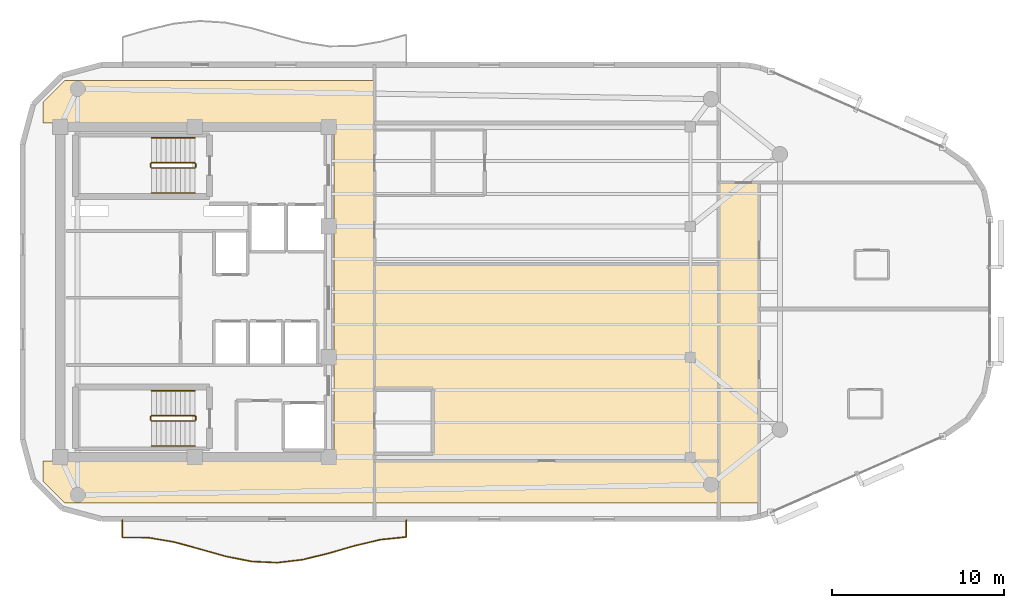
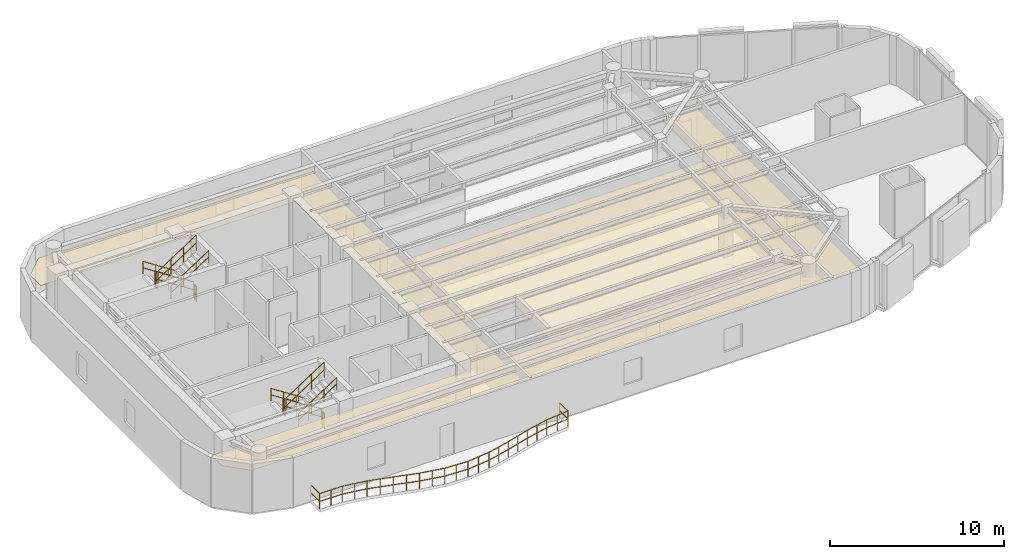
# One storey, part 11 of 12: 13 railings, 2 coverings.
"""IFC4 building model written with IfcOpenShell, lengths in metres."""

from ifc_helpers import new_model, si_unit, direction, frame, origin, origin_2d, place, context, subcontext, project, spatial, polyline, circle, outline, extrude, material, layer, layer_set, type_object, element, save


model = new_model("IFC4")

# Units and contexts
model_context = context("Model", 3, precision=1e-05, world=origin(), true_north=direction((0.0, 1.0)))
body_context = subcontext(model_context, "Body", "Model", "MODEL_VIEW")
ifc_project = project(units=[si_unit("LENGTHUNIT", "METRE"), si_unit("AREAUNIT", "SQUARE_METRE"), si_unit("VOLUMEUNIT", "CUBIC_METRE"), si_unit("PLANEANGLEUNIT", "RADIAN"), si_unit("MASSUNIT", "GRAM", prefix="KILO")], contexts=[model_context])

# Site, building, storey
site_placement = place(None, origin())
site = spatial("IfcSite", under=ifc_project, at=site_placement, CompositionType="ELEMENT")
building_placement = place(site_placement, origin())
building = spatial("IfcBuilding", under=site, at=building_placement, Name="An Khanh Terracotta Commons", CompositionType="ELEMENT")
storey_placement = place(building_placement, frame((0.0, 0.0, 258.800048828125)))
storey = spatial("IfcBuildingStorey", under=building, at=storey_placement, Name="L67", CompositionType="ELEMENT", Elevation=258.800048828125)

# Coverings
ifc_material_1 = material(Name="Perforated Mineral-Fibre Acoustic Tile")
ifc_layer = layer(ifc_material_1, 0.02001953125, Name="Perforated Mineral-Fibre Acoustic Tile")
ifc_layer_set = layer_set([ifc_layer], Name="Perforated Mineral-Fibre Acoustic Tile")
covering_type = type_object("IfcCoveringType", Name="CEIL-ACOUSTIC-18", PredefinedType="CEILING", material=ifc_layer_set)
covering_1_placement = place(storey_placement, frame((0.0, 0.0, 2.64990234375)))
element("IfcCovering", 1, at=covering_1_placement, inside=storey, type_object=covering_type, Name="L67 Corridor Ceiling", PredefinedType="CEILING", context=body_context, shape_type="SweptSolid", body=[
    extrude(outline(polyline([(59.85009765625, 30.35009765625), (62.199951171875, 30.35009765625), (62.199951171875, 14.179931640625), (62.199951171875, 11.719970703125), (59.85009765625, 11.719970703125), (39.85009765625, 11.719970703125), (37.5, 11.719970703125), (21.84912109375, 11.719970703125), (20.60009765625, 12.968994140625), (20.60009765625, 14.179931640625), (37.5, 14.179931640625), (37.5, 33.820068359375), (20.60009765625, 33.820068359375), (20.60009765625, 35.031005859375), (21.84912109375, 36.280029296875), (37.5, 36.280029296875), (39.85009765625, 36.280029296875), (39.85009765625, 33.820068359375), (39.85009765625, 14.179931640625), (59.85009765625, 14.179931640625), (59.85009765625, 30.35009765625)])), origin(), (0.0, 0.0, 1.0), 0.02001953125),
])
covering_2_placement = place(storey_placement, frame((0.0, 0.0, 2.64990234375)))
element("IfcCovering", 2, at=covering_2_placement, inside=storey, type_object=covering_type, Name="L67 Riverfront Reading Hall Ceiling", PredefinedType="CEILING", context=body_context, shape_type="SweptSolid", body=[
    extrude(outline(polyline([(59.85009765625, 14.179931640625), (39.85009765625, 14.179931640625), (39.85009765625, 14.60009765625), (43.25, 14.60009765625), (43.25, 18.39990234375), (39.85009765625, 18.39990234375), (39.85009765625, 25.60009765625), (59.85009765625, 25.60009765625), (59.85009765625, 14.179931640625)])), origin(), (0.0, 0.0, 1.0), 0.02001953125),
])

# Railings
ifc_material_2 = material(Name="Brushed Stainless Steel 316", Category="steel")
railing_type_1 = type_object("IfcRailingType", Name="RAIL-BALUSTRADE-1100", PredefinedType="BALUSTRADE", material=ifc_material_2)
railing_1_placement = place(storey_placement, frame((25.199951171875, 10.739990234375, 0.0)))
element("IfcRailing", 3, at=railing_1_placement, inside=storey, type_object=railing_type_1, Name="L67 S Wave Balcony Guard Balustrade", PredefinedType="BALUSTRADE", context=body_context, shape_type="SweptSolid", body=[
    extrude(circle(Radius=0.02392578125, at=origin_2d()), frame((0.0, 0.0, 1.076171875), z_axis=(0.0, -1.0, 0.0), x_axis=(1.0, 0.0, 0.0)), (0.0, 0.0, 1.0), 1.006103515625),
    extrude(circle(Radius=0.02392578125, at=origin_2d()), frame((0.0, 0.0, 0.52587890625), z_axis=(0.0, -1.0, 0.0), x_axis=(1.0, 0.0, 0.0)), (0.0, 0.0, 1.0), 1.006103515625),
    extrude(circle(Radius=0.02392578125, at=origin_2d()), frame((0.0, -1.006103515625, 1.076171875), z_axis=(0.999956968224, -0.009276944529, 0.0), x_axis=(0.009276944529, 0.999956968224, 0.0)), (0.0, 0.0, 1.0), 1.5),
    extrude(circle(Radius=0.02392578125, at=origin_2d()), frame((0.0, -1.006103515625, 0.52587890625), z_axis=(0.999956968224, -0.009276944529, 0.0), x_axis=(0.009276944529, 0.999956968224, 0.0)), (0.0, 0.0, 1.0), 1.5),
    extrude(circle(Radius=0.02392578125, at=origin_2d()), frame((1.5, -1.02001953125, 1.076171875), z_axis=(0.986079829755, -0.16627257546, 0.0), x_axis=(0.16627257546, 0.986079829755, 0.0)), (0.0, 0.0, 1.0), 1.521240234375),
    extrude(circle(Radius=0.02392578125, at=origin_2d()), frame((1.5, -1.02001953125, 0.52587890625), z_axis=(0.986079829755, -0.16627257546, 0.0), x_axis=(0.16627257546, 0.986079829755, 0.0)), (0.0, 0.0, 1.0), 1.521240234375),
    extrude(circle(Radius=0.02392578125, at=origin_2d()), frame((3.0, -1.27294921875, 1.076171875), z_axis=(0.964948425307, -0.262439586375, 0.0), x_axis=(0.262439586375, 0.964948425307, 0.0)), (0.0, 0.0, 1.0), 1.554443359375),
    extrude(circle(Radius=0.02392578125, at=origin_2d()), frame((3.0, -1.27294921875, 0.52587890625), z_axis=(0.964948425307, -0.262439586375, 0.0), x_axis=(0.262439586375, 0.964948425307, 0.0)), (0.0, 0.0, 1.0), 1.554443359375),
    extrude(circle(Radius=0.02392578125, at=origin_2d()), frame((4.5, -1.680908203125, 1.076171875), z_axis=(0.962282666556, -0.272051593719, 0.0), x_axis=(0.272051593719, 0.962282666556, 0.0)), (0.0, 0.0, 1.0), 1.558837890625),
    extrude(circle(Radius=0.02392578125, at=origin_2d()), frame((4.5, -1.680908203125, 0.52587890625), z_axis=(0.962282666556, -0.272051593719, 0.0), x_axis=(0.272051593719, 0.962282666556, 0.0)), (0.0, 0.0, 1.0), 1.558837890625),
    extrude(circle(Radius=0.02392578125, at=origin_2d()), frame((6.0, -2.10498046875, 1.076171875), z_axis=(0.980819402607, -0.194918699639, 0.0), x_axis=(0.194918699639, 0.980819402607, 0.0)), (0.0, 0.0, 1.0), 1.529296875),
    extrude(circle(Radius=0.02392578125, at=origin_2d()), frame((6.0, -2.10498046875, 0.52587890625), z_axis=(0.980819402607, -0.194918699639, 0.0), x_axis=(0.194918699639, 0.980819402607, 0.0)), (0.0, 0.0, 1.0), 1.529296875),
    extrude(circle(Radius=0.02392578125, at=origin_2d()), frame((7.5, -2.403076171875, 1.076171875), z_axis=(0.998887913276, -0.047148029761, 0.0), x_axis=(0.047148029761, 0.998887913276, 0.0)), (0.0, 0.0, 1.0), 1.501708984375),
    extrude(circle(Radius=0.02392578125, at=origin_2d()), frame((7.5, -2.403076171875, 0.52587890625), z_axis=(0.998887913276, -0.047148029761, 0.0), x_axis=(0.047148029761, 0.998887913276, 0.0)), (0.0, 0.0, 1.0), 1.501708984375),
    extrude(circle(Radius=0.02392578125, at=origin_2d()), frame((9.0, -2.473876953125, 1.076171875), z_axis=(0.99288219023, 0.11910061429, 0.0), x_axis=(-0.11910061429, 0.99288219023, 0.0)), (0.0, 0.0, 1.0), 1.5107421875),
    extrude(circle(Radius=0.02392578125, at=origin_2d()), frame((9.0, -2.473876953125, 0.52587890625), z_axis=(0.99288219023, 0.11910061429, 0.0), x_axis=(-0.11910061429, 0.99288219023, 0.0)), (0.0, 0.0, 1.0), 1.5107421875),
    extrude(circle(Radius=0.02392578125, at=origin_2d()), frame((10.5, -2.2939453125, 1.076171875), z_axis=(0.970918311966, 0.239411009542, 0.0), x_axis=(-0.239411009542, 0.970918311966, 0.0)), (0.0, 0.0, 1.0), 1.544921875),
    extrude(circle(Radius=0.02392578125, at=origin_2d()), frame((10.5, -2.2939453125, 0.52587890625), z_axis=(0.970918311966, 0.239411009542, 0.0), x_axis=(-0.239411009542, 0.970918311966, 0.0)), (0.0, 0.0, 1.0), 1.544921875),
    extrude(circle(Radius=0.02392578125, at=origin_2d()), frame((12.0, -1.924072265625, 1.076171875), z_axis=(0.960419102414, 0.278559056071, 0.0), x_axis=(-0.278559056071, 0.960419102414, 0.0)), (0.0, 0.0, 1.0), 1.561767578125),
    extrude(circle(Radius=0.02392578125, at=origin_2d()), frame((12.0, -1.924072265625, 0.52587890625), z_axis=(0.960419102414, 0.278559056071, 0.0), x_axis=(-0.278559056071, 0.960419102414, 0.0)), (0.0, 0.0, 1.0), 1.561767578125),
    extrude(circle(Radius=0.02392578125, at=origin_2d()), frame((13.5, -1.489013671875, 1.076171875), z_axis=(0.973263214687, 0.229692653206, 0.0), x_axis=(-0.229692653206, 0.973263214687, 0.0)), (0.0, 0.0, 1.0), 1.541259765625),
    extrude(circle(Radius=0.02392578125, at=origin_2d()), frame((13.5, -1.489013671875, 0.52587890625), z_axis=(0.973263214687, 0.229692653206, 0.0), x_axis=(-0.229692653206, 0.973263214687, 0.0)), (0.0, 0.0, 1.0), 1.541259765625),
    extrude(circle(Radius=0.02392578125, at=origin_2d()), frame((15.0, -1.135009765625, 1.076171875), z_axis=(0.994833141332, 0.101523499286, 0.0), x_axis=(-0.101523499286, 0.994833141332, 0.0)), (0.0, 0.0, 1.0), 1.5078125),
    extrude(circle(Radius=0.02392578125, at=origin_2d()), frame((15.0, -1.135009765625, 0.52587890625), z_axis=(0.994833141332, 0.101523499286, 0.0), x_axis=(-0.101523499286, 0.994833141332, 0.0)), (0.0, 0.0, 1.0), 1.5078125),
    extrude(circle(Radius=0.02392578125, at=origin_2d()), frame((16.5, -0.98193359375, 1.076171875), z_axis=(0.0, 1.0, 0.0), x_axis=(-1.0, 0.0, 0.0)), (0.0, 0.0, 1.0), 0.98193359375),
    extrude(circle(Radius=0.02392578125, at=origin_2d()), frame((16.5, -0.98193359375, 0.52587890625), z_axis=(0.0, 1.0, 0.0), x_axis=(-1.0, 0.0, 0.0)), (0.0, 0.0, 1.0), 0.98193359375),
    extrude(circle(Radius=0.02099609375, at=origin_2d()), origin(), (0.0, 0.0, 1.0), 1.052001953125),
    extrude(circle(Radius=0.02099609375, at=origin_2d()), frame((0.0, -1.006103515625, 0.0)), (0.0, 0.0, 1.0), 1.052001953125),
    extrude(circle(Radius=0.02099609375, at=origin_2d()), frame((0.75, -1.01318359375, 0.0)), (0.0, 0.0, 1.0), 1.052001953125),
    extrude(circle(Radius=0.02099609375, at=origin_2d()), frame((1.5, -1.02001953125, 0.0)), (0.0, 0.0, 1.0), 1.052001953125),
    extrude(circle(Radius=0.02099609375, at=origin_2d()), frame((2.25, -1.146484375, 0.0)), (0.0, 0.0, 1.0), 1.052001953125),
    extrude(circle(Radius=0.02099609375, at=origin_2d()), frame((3.0, -1.27294921875, 0.0)), (0.0, 0.0, 1.0), 1.052001953125),
    extrude(circle(Radius=0.02099609375, at=origin_2d()), frame((3.75, -1.47705078125, 0.0)), (0.0, 0.0, 1.0), 1.052001953125),
    extrude(circle(Radius=0.02099609375, at=origin_2d()), frame((4.5, -1.680908203125, 0.0)), (0.0, 0.0, 1.0), 1.052001953125),
    extrude(circle(Radius=0.02099609375, at=origin_2d()), frame((5.25, -1.89306640625, 0.0)), (0.0, 0.0, 1.0), 1.052001953125),
    extrude(circle(Radius=0.02099609375, at=origin_2d()), frame((6.0, -2.10498046875, 0.0)), (0.0, 0.0, 1.0), 1.052001953125),
    extrude(circle(Radius=0.02099609375, at=origin_2d()), frame((6.75, -2.25390625, 0.0)), (0.0, 0.0, 1.0), 1.052001953125),
    extrude(circle(Radius=0.02099609375, at=origin_2d()), frame((7.5, -2.403076171875, 0.0)), (0.0, 0.0, 1.0), 1.052001953125),
    extrude(circle(Radius=0.02099609375, at=origin_2d()), frame((8.25, -2.4384765625, 0.0)), (0.0, 0.0, 1.0), 1.052001953125),
    extrude(circle(Radius=0.02099609375, at=origin_2d()), frame((9.0, -2.473876953125, 0.0)), (0.0, 0.0, 1.0), 1.052001953125),
    extrude(circle(Radius=0.02099609375, at=origin_2d()), frame((9.75, -2.3837890625, 0.0)), (0.0, 0.0, 1.0), 1.052001953125),
    extrude(circle(Radius=0.02099609375, at=origin_2d()), frame((10.5, -2.2939453125, 0.0)), (0.0, 0.0, 1.0), 1.052001953125),
    extrude(circle(Radius=0.02099609375, at=origin_2d()), frame((11.25, -2.10888671875, 0.0)), (0.0, 0.0, 1.0), 1.052001953125),
    extrude(circle(Radius=0.02099609375, at=origin_2d()), frame((12.0, -1.924072265625, 0.0)), (0.0, 0.0, 1.0), 1.052001953125),
    extrude(circle(Radius=0.02099609375, at=origin_2d()), frame((12.75, -1.70654296875, 0.0)), (0.0, 0.0, 1.0), 1.052001953125),
    extrude(circle(Radius=0.02099609375, at=origin_2d()), frame((13.5, -1.489013671875, 0.0)), (0.0, 0.0, 1.0), 1.052001953125),
    extrude(circle(Radius=0.02099609375, at=origin_2d()), frame((14.25, -1.31201171875, 0.0)), (0.0, 0.0, 1.0), 1.052001953125),
    extrude(circle(Radius=0.02099609375, at=origin_2d()), frame((15.0, -1.135009765625, 0.0)), (0.0, 0.0, 1.0), 1.052001953125),
    extrude(circle(Radius=0.02099609375, at=origin_2d()), frame((15.75, -1.05859375, 0.0)), (0.0, 0.0, 1.0), 1.052001953125),
    extrude(circle(Radius=0.02099609375, at=origin_2d()), frame((16.5, -0.98193359375, 0.0)), (0.0, 0.0, 1.0), 1.052001953125),
    extrude(circle(Radius=0.02099609375, at=origin_2d()), frame((16.5, 0.0, 0.0)), (0.0, 0.0, 1.0), 1.052001953125),
])
railing_type_2 = type_object("IfcRailingType", Name="RAIL-HANDRAIL-900", PredefinedType="HANDRAIL", material=ifc_material_2)
railing_2_placement = place(storey_placement, frame((29.409912109375, 32.949951171875, 0.182373046875)))
element("IfcRailing", 4, at=railing_2_placement, inside=storey, type_object=railing_type_2, Name="L67 ST-01 stair handrail 1", PredefinedType="HANDRAIL", context=body_context, shape_type="SweptSolid", body=[
    extrude(circle(Radius=0.02392578125, at=origin_2d()), frame((0.0, 0.0, 0.8759765625), z_axis=(-0.837749427056, 0.0, 0.546054848405), x_axis=(0.0, -1.0, 0.0)), (0.0, 0.0, 1.0), 3.008056640625),
    extrude(circle(Radius=0.02392578125, at=origin_2d()), frame((0.0, 0.0, 0.42578125), z_axis=(-0.837749427056, 0.0, 0.546054848405), x_axis=(0.0, -1.0, 0.0)), (0.0, 0.0, 1.0), 3.008056640625),
    extrude(circle(Radius=0.02099609375, at=origin_2d()), origin(), (0.0, 0.0, 1.0), 0.851806640625),
    extrude(circle(Radius=0.02099609375, at=origin_2d()), frame((-0.840087890625, 0.0, 0.547607421875)), (0.0, 0.0, 1.0), 0.851806640625),
    extrude(circle(Radius=0.02099609375, at=origin_2d()), frame((-1.679931640625, 0.0, 1.094970703125)), (0.0, 0.0, 1.0), 0.851806640625),
    extrude(circle(Radius=0.02099609375, at=origin_2d()), frame((-2.52001953125, 0.0, 1.642578125)), (0.0, 0.0, 1.0), 0.851806640625),
])
railing_3_placement = place(storey_placement, frame((26.889892578125, 29.75, 2.007568359375)))
element("IfcRailing", 5, at=railing_3_placement, inside=storey, type_object=railing_type_2, Name="L67 ST-01 stair handrail 2", PredefinedType="HANDRAIL", context=body_context, shape_type="SweptSolid", body=[
    extrude(circle(Radius=0.02392578125, at=origin_2d()), frame((0.0, 0.0, 0.8759765625), z_axis=(0.837786554691, 0.0, 0.545997883492), x_axis=(0.0, 1.0, 0.0)), (0.0, 0.0, 1.0), 3.008056640625),
    extrude(circle(Radius=0.02392578125, at=origin_2d()), frame((0.0, 0.0, 0.42578125), z_axis=(0.837786554691, 0.0, 0.545997883492), x_axis=(0.0, 1.0, 0.0)), (0.0, 0.0, 1.0), 3.008056640625),
    extrude(circle(Radius=0.02099609375, at=origin_2d()), origin(), (0.0, 0.0, 1.0), 0.851806640625),
    extrude(circle(Radius=0.02099609375, at=origin_2d()), frame((0.840087890625, 0.0, 0.54736328125)), (0.0, 0.0, 1.0), 0.851806640625),
    extrude(circle(Radius=0.02099609375, at=origin_2d()), frame((1.679931640625, 0.0, 1.094970703125)), (0.0, 0.0, 1.0), 0.851806640625),
    extrude(circle(Radius=0.02099609375, at=origin_2d()), frame((2.52001953125, 0.0, 1.642333984375)), (0.0, 0.0, 1.0), 0.851806640625),
])
railing_4_placement = place(storey_placement, frame((29.409912109375, 18.25, 0.182373046875)))
element("IfcRailing", 6, at=railing_4_placement, inside=storey, type_object=railing_type_2, Name="L67 ST-02 stair handrail 1", PredefinedType="HANDRAIL", context=body_context, shape_type="SweptSolid", body=[
    extrude(circle(Radius=0.02392578125, at=origin_2d()), frame((0.0, 0.0, 0.8759765625), z_axis=(-0.837749427056, 0.0, 0.546054848405), x_axis=(0.0, -1.0, 0.0)), (0.0, 0.0, 1.0), 3.008056640625),
    extrude(circle(Radius=0.02392578125, at=origin_2d()), frame((0.0, 0.0, 0.42578125), z_axis=(-0.837749427056, 0.0, 0.546054848405), x_axis=(0.0, -1.0, 0.0)), (0.0, 0.0, 1.0), 3.008056640625),
    extrude(circle(Radius=0.02099609375, at=origin_2d()), origin(), (0.0, 0.0, 1.0), 0.851806640625),
    extrude(circle(Radius=0.02099609375, at=origin_2d()), frame((-0.840087890625, 0.0, 0.547607421875)), (0.0, 0.0, 1.0), 0.851806640625),
    extrude(circle(Radius=0.02099609375, at=origin_2d()), frame((-1.679931640625, 0.0, 1.094970703125)), (0.0, 0.0, 1.0), 0.851806640625),
    extrude(circle(Radius=0.02099609375, at=origin_2d()), frame((-2.52001953125, 0.0, 1.642578125)), (0.0, 0.0, 1.0), 0.851806640625),
])
railing_5_placement = place(storey_placement, frame((26.889892578125, 15.050048828125, 2.007568359375)))
element("IfcRailing", 7, at=railing_5_placement, inside=storey, type_object=railing_type_2, Name="L67 ST-02 stair handrail 2", PredefinedType="HANDRAIL", context=body_context, shape_type="SweptSolid", body=[
    extrude(circle(Radius=0.02392578125, at=origin_2d()), frame((0.0, 0.0, 0.8759765625), z_axis=(0.837786554691, 0.0, 0.545997883492), x_axis=(0.0, 1.0, 0.0)), (0.0, 0.0, 1.0), 3.008056640625),
    extrude(circle(Radius=0.02392578125, at=origin_2d()), frame((0.0, 0.0, 0.42578125), z_axis=(0.837786554691, 0.0, 0.545997883492), x_axis=(0.0, 1.0, 0.0)), (0.0, 0.0, 1.0), 3.008056640625),
    extrude(circle(Radius=0.02099609375, at=origin_2d()), origin(), (0.0, 0.0, 1.0), 0.851806640625),
    extrude(circle(Radius=0.02099609375, at=origin_2d()), frame((0.840087890625, 0.0, 0.54736328125)), (0.0, 0.0, 1.0), 0.851806640625),
    extrude(circle(Radius=0.02099609375, at=origin_2d()), frame((1.679931640625, 0.0, 1.094970703125)), (0.0, 0.0, 1.0), 0.851806640625),
    extrude(circle(Radius=0.02099609375, at=origin_2d()), frame((2.52001953125, 0.0, 1.642333984375)), (0.0, 0.0, 1.0), 0.851806640625),
])
ifc_material_3 = material(Name="Powder-Coated Steel S355J2", Category="steel")
railing_type_3 = type_object("IfcRailingType", Name="RAIL-STAIR-GUARD-1100", PredefinedType="BALUSTRADE", material=ifc_material_3)
railing_6_placement = place(storey_placement, frame((29.409912109375, 31.5, 0.182373046875)))
element("IfcRailing", 8, at=railing_6_placement, inside=storey, type_object=railing_type_3, Name="L67 ST-01 stair guard 1", PredefinedType="BALUSTRADE", context=body_context, shape_type="SweptSolid", body=[
    extrude(circle(Radius=0.02392578125, at=origin_2d()), frame((0.0, 0.0, 1.076171875), z_axis=(-0.837749427056, 0.0, 0.546054848405), x_axis=(0.0, -1.0, 0.0)), (0.0, 0.0, 1.0), 3.008056640625),
    extrude(circle(Radius=0.02392578125, at=origin_2d()), frame((0.0, 0.0, 0.52587890625), z_axis=(-0.837749427056, 0.0, 0.546054848405), x_axis=(0.0, -1.0, 0.0)), (0.0, 0.0, 1.0), 3.008056640625),
    extrude(circle(Radius=0.02099609375, at=origin_2d()), origin(), (0.0, 0.0, 1.0), 1.052001953125),
    extrude(circle(Radius=0.02099609375, at=origin_2d()), frame((-0.840087890625, 0.0, 0.547607421875)), (0.0, 0.0, 1.0), 1.052001953125),
    extrude(circle(Radius=0.02099609375, at=origin_2d()), frame((-1.679931640625, 0.0, 1.094970703125)), (0.0, 0.0, 1.0), 1.052001953125),
    extrude(circle(Radius=0.02099609375, at=origin_2d()), frame((-2.52001953125, 0.0, 1.642578125)), (0.0, 0.0, 1.0), 1.052001953125),
])
railing_7_placement = place(storey_placement, frame((26.840087890625, 31.449951171875, 1.824951171875)))
element("IfcRailing", 9, at=railing_7_placement, inside=storey, type_object=railing_type_3, Name="L67 ST-01 stair guard 2", PredefinedType="BALUSTRADE", context=body_context, shape_type="SweptSolid", body=[
    extrude(circle(Radius=0.02392578125, at=origin_2d()), frame((0.0, 0.0, 1.076171875), z_axis=(0.0, -1.0, 0.0), x_axis=(1.0, 0.0, 0.0)), (0.0, 0.0, 1.0), 0.199951171875),
    extrude(circle(Radius=0.02392578125, at=origin_2d()), frame((0.0, 0.0, 0.52587890625), z_axis=(0.0, -1.0, 0.0), x_axis=(1.0, 0.0, 0.0)), (0.0, 0.0, 1.0), 0.199951171875),
    extrude(circle(Radius=0.02099609375, at=origin_2d()), origin(), (0.0, 0.0, 1.0), 1.052001953125),
    extrude(circle(Radius=0.02099609375, at=origin_2d()), frame((0.0, -0.199951171875, 0.0)), (0.0, 0.0, 1.0), 1.052001953125),
])
railing_8_placement = place(storey_placement, frame((26.889892578125, 31.199951171875, 2.007568359375)))
element("IfcRailing", 10, at=railing_8_placement, inside=storey, type_object=railing_type_3, Name="L67 ST-01 stair guard 3", PredefinedType="BALUSTRADE", context=body_context, shape_type="SweptSolid", body=[
    extrude(circle(Radius=0.02392578125, at=origin_2d()), frame((0.0, 0.0, 1.076171875), z_axis=(0.837786554691, 0.0, 0.545997883492), x_axis=(0.0, 1.0, 0.0)), (0.0, 0.0, 1.0), 3.008056640625),
    extrude(circle(Radius=0.02392578125, at=origin_2d()), frame((0.0, 0.0, 0.52587890625), z_axis=(0.837786554691, 0.0, 0.545997883492), x_axis=(0.0, 1.0, 0.0)), (0.0, 0.0, 1.0), 3.008056640625),
    extrude(circle(Radius=0.02099609375, at=origin_2d()), origin(), (0.0, 0.0, 1.0), 1.052001953125),
    extrude(circle(Radius=0.02099609375, at=origin_2d()), frame((0.840087890625, 0.0, 0.54736328125)), (0.0, 0.0, 1.0), 1.052001953125),
    extrude(circle(Radius=0.02099609375, at=origin_2d()), frame((1.679931640625, 0.0, 1.094970703125)), (0.0, 0.0, 1.0), 1.052001953125),
    extrude(circle(Radius=0.02099609375, at=origin_2d()), frame((2.52001953125, 0.0, 1.642333984375)), (0.0, 0.0, 1.0), 1.052001953125),
])
railing_9_placement = place(storey_placement, frame((29.4599609375, 31.449951171875, 0.0)))
element("IfcRailing", 11, at=railing_9_placement, inside=storey, type_object=railing_type_3, Name="L67 ST-01 stair guard 4", PredefinedType="BALUSTRADE", context=body_context, shape_type="SweptSolid", body=[
    extrude(circle(Radius=0.02392578125, at=origin_2d()), frame((0.0, 0.0, 1.076171875), z_axis=(0.0, -1.0, 0.0), x_axis=(1.0, 0.0, 0.0)), (0.0, 0.0, 1.0), 0.199951171875),
    extrude(circle(Radius=0.02392578125, at=origin_2d()), frame((0.0, 0.0, 0.52587890625), z_axis=(0.0, -1.0, 0.0), x_axis=(1.0, 0.0, 0.0)), (0.0, 0.0, 1.0), 0.199951171875),
    extrude(circle(Radius=0.02099609375, at=origin_2d()), origin(), (0.0, 0.0, 1.0), 1.052001953125),
    extrude(circle(Radius=0.02099609375, at=origin_2d()), frame((0.0, -0.199951171875, 0.0)), (0.0, 0.0, 1.0), 1.052001953125),
])
railing_10_placement = place(storey_placement, frame((29.409912109375, 16.800048828125, 0.182373046875)))
element("IfcRailing", 12, at=railing_10_placement, inside=storey, type_object=railing_type_3, Name="L67 ST-02 stair guard 1", PredefinedType="BALUSTRADE", context=body_context, shape_type="SweptSolid", body=[
    extrude(circle(Radius=0.02392578125, at=origin_2d()), frame((0.0, 0.0, 1.076171875), z_axis=(-0.837749427056, 0.0, 0.546054848405), x_axis=(0.0, -1.0, 0.0)), (0.0, 0.0, 1.0), 3.008056640625),
    extrude(circle(Radius=0.02392578125, at=origin_2d()), frame((0.0, 0.0, 0.52587890625), z_axis=(-0.837749427056, 0.0, 0.546054848405), x_axis=(0.0, -1.0, 0.0)), (0.0, 0.0, 1.0), 3.008056640625),
    extrude(circle(Radius=0.02099609375, at=origin_2d()), origin(), (0.0, 0.0, 1.0), 1.052001953125),
    extrude(circle(Radius=0.02099609375, at=origin_2d()), frame((-0.840087890625, 0.0, 0.547607421875)), (0.0, 0.0, 1.0), 1.052001953125),
    extrude(circle(Radius=0.02099609375, at=origin_2d()), frame((-1.679931640625, 0.0, 1.094970703125)), (0.0, 0.0, 1.0), 1.052001953125),
    extrude(circle(Radius=0.02099609375, at=origin_2d()), frame((-2.52001953125, 0.0, 1.642578125)), (0.0, 0.0, 1.0), 1.052001953125),
])
railing_11_placement = place(storey_placement, frame((26.840087890625, 16.75, 1.824951171875)))
element("IfcRailing", 13, at=railing_11_placement, inside=storey, type_object=railing_type_3, Name="L67 ST-02 stair guard 2", PredefinedType="BALUSTRADE", context=body_context, shape_type="SweptSolid", body=[
    extrude(circle(Radius=0.02392578125, at=origin_2d()), frame((0.0, 0.0, 1.076171875), z_axis=(0.0, -1.0, 0.0), x_axis=(1.0, 0.0, 0.0)), (0.0, 0.0, 1.0), 0.199951171875),
    extrude(circle(Radius=0.02392578125, at=origin_2d()), frame((0.0, 0.0, 0.52587890625), z_axis=(0.0, -1.0, 0.0), x_axis=(1.0, 0.0, 0.0)), (0.0, 0.0, 1.0), 0.199951171875),
    extrude(circle(Radius=0.02099609375, at=origin_2d()), origin(), (0.0, 0.0, 1.0), 1.052001953125),
    extrude(circle(Radius=0.02099609375, at=origin_2d()), frame((0.0, -0.199951171875, 0.0)), (0.0, 0.0, 1.0), 1.052001953125),
])
railing_12_placement = place(storey_placement, frame((26.889892578125, 16.5, 2.007568359375)))
element("IfcRailing", 14, at=railing_12_placement, inside=storey, type_object=railing_type_3, Name="L67 ST-02 stair guard 3", PredefinedType="BALUSTRADE", context=body_context, shape_type="SweptSolid", body=[
    extrude(circle(Radius=0.02392578125, at=origin_2d()), frame((0.0, 0.0, 1.076171875), z_axis=(0.837786554691, 0.0, 0.545997883492), x_axis=(0.0, 1.0, 0.0)), (0.0, 0.0, 1.0), 3.008056640625),
    extrude(circle(Radius=0.02392578125, at=origin_2d()), frame((0.0, 0.0, 0.52587890625), z_axis=(0.837786554691, 0.0, 0.545997883492), x_axis=(0.0, 1.0, 0.0)), (0.0, 0.0, 1.0), 3.008056640625),
    extrude(circle(Radius=0.02099609375, at=origin_2d()), origin(), (0.0, 0.0, 1.0), 1.052001953125),
    extrude(circle(Radius=0.02099609375, at=origin_2d()), frame((0.840087890625, 0.0, 0.54736328125)), (0.0, 0.0, 1.0), 1.052001953125),
    extrude(circle(Radius=0.02099609375, at=origin_2d()), frame((1.679931640625, 0.0, 1.094970703125)), (0.0, 0.0, 1.0), 1.052001953125),
    extrude(circle(Radius=0.02099609375, at=origin_2d()), frame((2.52001953125, 0.0, 1.642333984375)), (0.0, 0.0, 1.0), 1.052001953125),
])
railing_13_placement = place(storey_placement, frame((29.4599609375, 16.75, 0.0)))
element("IfcRailing", 15, at=railing_13_placement, inside=storey, type_object=railing_type_3, Name="L67 ST-02 stair guard 4", PredefinedType="BALUSTRADE", context=body_context, shape_type="SweptSolid", body=[
    extrude(circle(Radius=0.02392578125, at=origin_2d()), frame((0.0, 0.0, 1.076171875), z_axis=(0.0, -1.0, 0.0), x_axis=(1.0, 0.0, 0.0)), (0.0, 0.0, 1.0), 0.199951171875),
    extrude(circle(Radius=0.02392578125, at=origin_2d()), frame((0.0, 0.0, 0.52587890625), z_axis=(0.0, -1.0, 0.0), x_axis=(1.0, 0.0, 0.0)), (0.0, 0.0, 1.0), 0.199951171875),
    extrude(circle(Radius=0.02099609375, at=origin_2d()), origin(), (0.0, 0.0, 1.0), 1.052001953125),
    extrude(circle(Radius=0.02099609375, at=origin_2d()), frame((0.0, -0.199951171875, 0.0)), (0.0, 0.0, 1.0), 1.052001953125),
])

save(model, "model.ifc")
